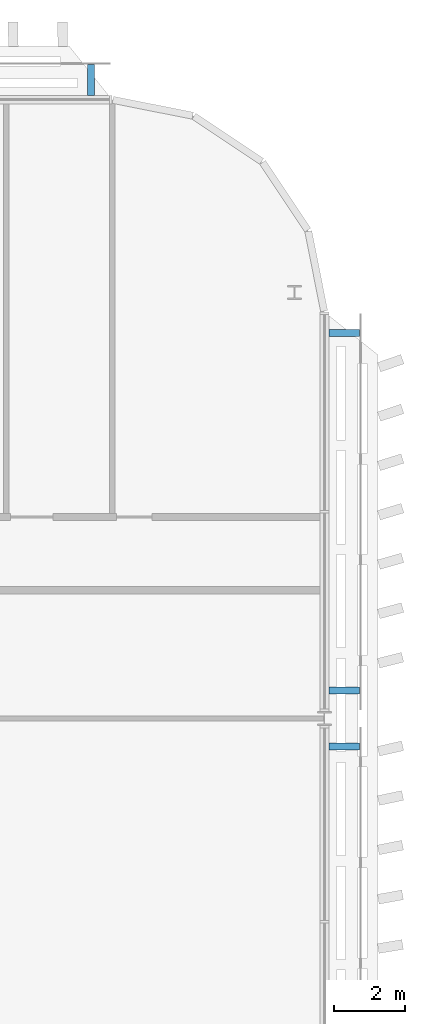
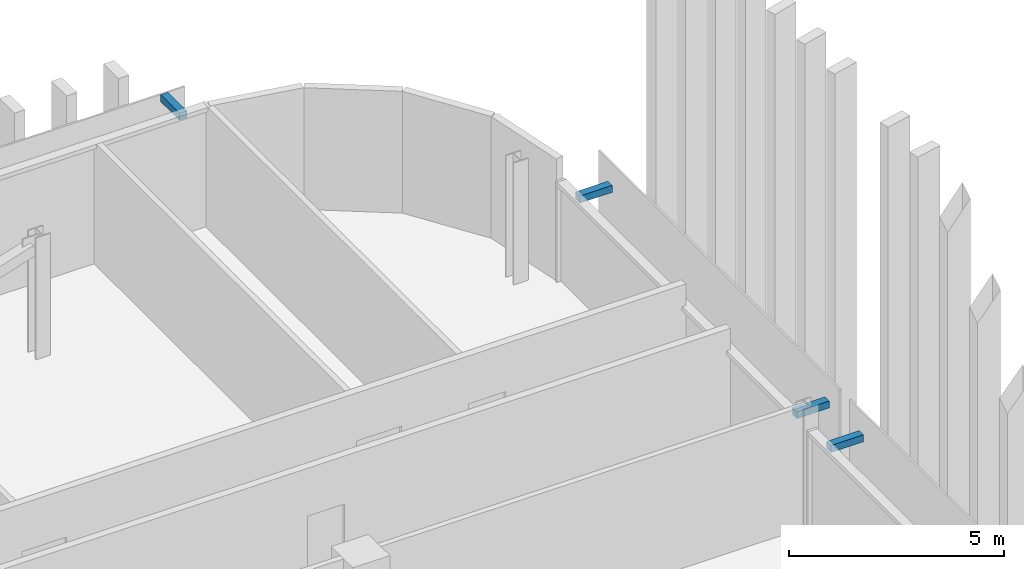
# One storey, part 21 of 30: 4 discrete accessories.
"""IFC4 building model written with IfcOpenShell, lengths in metres."""

from ifc_helpers import new_model, si_unit, direction, frame, origin, origin_2d, place, context, subcontext, project, spatial, rectangle, extrude, material, type_object, element, save


model = new_model("IFC4")

# Units and contexts
model_context = context("Model", 3, precision=1e-05, world=origin(), true_north=direction((0.0, 1.0)))
body_context = subcontext(model_context, "Body", "Model", "MODEL_VIEW")
ifc_project = project(units=[si_unit("LENGTHUNIT", "METRE"), si_unit("AREAUNIT", "SQUARE_METRE"), si_unit("VOLUMEUNIT", "CUBIC_METRE"), si_unit("PLANEANGLEUNIT", "RADIAN"), si_unit("MASSUNIT", "GRAM", prefix="KILO")], contexts=[model_context])

# Site, building, storey
site_placement = place(None, origin())
site = spatial("IfcSite", under=ifc_project, at=site_placement, CompositionType="ELEMENT")
building_placement = place(site_placement, origin())
building = spatial("IfcBuilding", under=site, at=building_placement, Name="Mahtab Terrace Research Tower", CompositionType="ELEMENT")
storey_placement = place(building_placement, frame((0.0, 0.0, 228.60009765625)))
storey = spatial("IfcBuildingStorey", under=building, at=storey_placement, Name="L55", CompositionType="ELEMENT", Elevation=228.60009765625)

# Discrete accessories
ifc_material = material(Name="Black anodised aluminium", Category="aluminium")
discrete_accessory_type = type_object("IfcDiscreteAccessoryType", Name="Facade bracket", PredefinedType="BRACKET", material=ifc_material)
for number, where, z_axis, x_axis, name in (
    (1, (47.39990234375, 29.5625, 3.16015625), (0.0, 0.0, 1.0), (-1.0, 0.0, 0.0), "Screen bracket Girih screen L55 N4"),
    (2, (54.5625, 10.70703125, 2.552734375), (0.0, 0.0, 1.0), (0.0, 1.0, 0.0), "Screen bracket Girih screen L55 E22"),
    (3, (54.5625, 12.29296875, 2.552734375), (0.0, 0.0, 1.0), (0.0, 1.0, 0.0), "Screen bracket Girih screen L55 E23"),
    (4, (54.5625, 22.39990234375, 2.552734375), (0.0, 0.0, 1.0), (0.0, 1.0, 0.0), "Screen bracket Girih screen L55 E23"),
):
    element("IfcDiscreteAccessory", number, at=place(storey_placement, frame(where, z_axis=z_axis, x_axis=x_axis)), inside=storey, type_object=discrete_accessory_type, Name=name, PredefinedType="BRACKET", context=body_context, shape_type="SweptSolid", body=[
        extrude(rectangle(XDim=0.199951171875, YDim=0.875, at=origin_2d()), origin(), (0.0, 0.0, 1.0), 0.199951171875),
    ])

save(model, "model.ifc")
